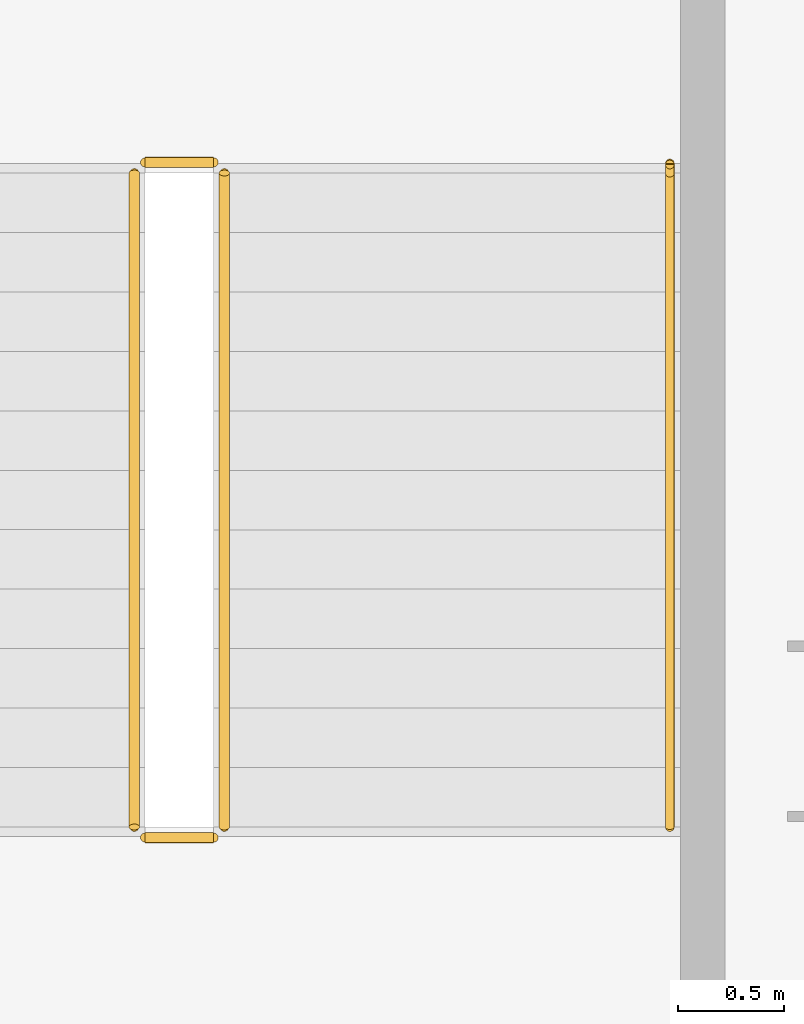
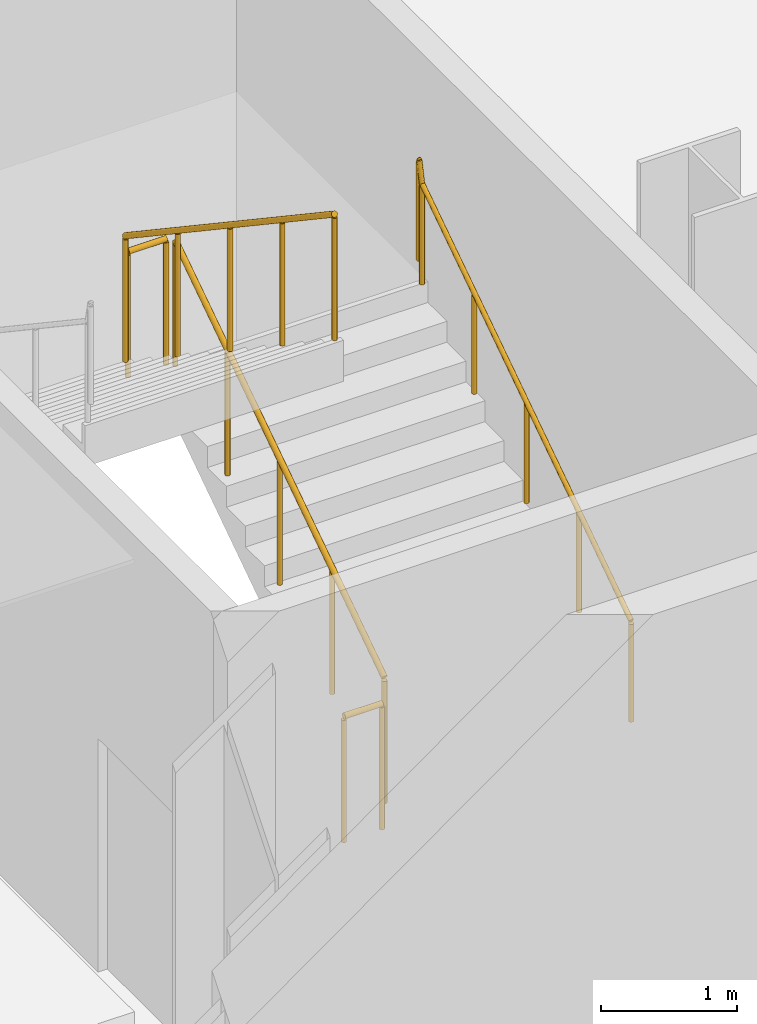
# One storey, part 15 of 15: 5 railings.
"""IFC4 building model written with IfcOpenShell, lengths in metres."""

import ifcopenshell
import ifcopenshell.guid

model = None  # the IFC model being written
_history = None  # IfcOwnerHistory: only IFC2X3 demands one
_inside = {}  # id of a spatial element -> (the spatial element, [elements in it])
_under = {}  # id of a project, library or spatial element -> (it, [spatial elements below it])
_declared = {}  # id of a project -> (the project, [libraries it declares])
_typed = {}  # id of a type object -> (the type object, [elements of that type])
_made_of = {}  # id of a material, layer set ... -> (it, [elements and type objects made of it])


def new_model(schema):
    """Start an empty IFC model of exactly this schema.

    Asked for "IFC4X3", IfcOpenShell would pick the latest addendum, in which some entities
    have other attributes; the version numbers below select the first issue.
    IFC2X3 requires an IfcOwnerHistory on every rooted entity: one is made here for all.
    """
    global model, _history
    if schema == "IFC4X3":
        model = ifcopenshell.file(schema_version=(4, 3, 0, 0))
    else:
        model = ifcopenshell.file(schema=schema)
    _inside.clear()
    _under.clear()
    _declared.clear()
    _typed.clear()
    _made_of.clear()
    _history = None
    if model.schema == "IFC2X3":
        org = make("IfcOrganization", Name="unknown")
        user = make(
            "IfcPersonAndOrganization",
            ThePerson=make("IfcPerson", FamilyName="unknown"),
            TheOrganization=org,
        )
        app = make(
            "IfcApplication",
            ApplicationDeveloper=org,
            Version="unknown",
            ApplicationFullName="unknown",
            ApplicationIdentifier="unknown",
        )
        _history = make(
            "IfcOwnerHistory",
            OwningUser=user,
            OwningApplication=app,
            ChangeAction="ADDED",
            CreationDate=0,
        )
    return model


def make(cls, **values):
    """One entity of the class cls with the attributes given. An attribute that is None is left unset."""
    return model.create_entity(
        cls, **{name: value for name, value in values.items() if value is not None}
    )


def rooted(cls, **values):
    """An entity with a GlobalId (a new one), such as an element, a storey or a relation."""
    return make(cls, GlobalId=ifcopenshell.guid.new(), OwnerHistory=_history, **values)


def si_unit(unit_type, name, prefix=None):
    """IfcSIUnit, for example si_unit("LENGTHUNIT", "METRE", prefix="MILLI")."""
    return make("IfcSIUnit", UnitType=unit_type, Prefix=prefix, Name=name)


def assignment(units):
    """IfcUnitAssignment: the units of a project."""
    return None if units is None else make("IfcUnitAssignment", Units=units)


def point(xyz):
    """IfcCartesianPoint."""
    return None if xyz is None else make("IfcCartesianPoint", Coordinates=xyz)


def direction(xyz):
    """IfcDirection."""
    return None if xyz is None else make("IfcDirection", DirectionRatios=xyz)


def frame(location, z_axis=None, x_axis=None):
    """IfcAxis2Placement3D, a coordinate frame: its origin and axes. An axis left out is left unset."""
    return make(
        "IfcAxis2Placement3D",
        Location=point(location),
        Axis=direction(z_axis),
        RefDirection=direction(x_axis),
    )


def frame_2d(location, x_axis=None):
    """IfcAxis2Placement2D, a coordinate frame in the plane: its origin and x axis."""
    return make(
        "IfcAxis2Placement2D", Location=point(location), RefDirection=direction(x_axis)
    )


def origin():
    """The frame at (0, 0, 0) with its axes left unset."""
    return frame((0.0, 0.0, 0.0))


def origin_2d():
    """The frame at (0, 0) in the plane with its x axis left unset."""
    return frame_2d((0.0, 0.0))


def place(relative_to, where):
    """IfcLocalPlacement: puts the frame where relative to a parent placement (None: the world)."""
    return make(
        "IfcLocalPlacement", PlacementRelTo=relative_to, RelativePlacement=where
    )


def context(
    kind, dimensions, precision=None, world=None, true_north=None, identifier=None
):
    """IfcGeometricRepresentationContext, for example the 3D "Model" context."""
    return make(
        "IfcGeometricRepresentationContext",
        ContextIdentifier=identifier,
        ContextType=kind,
        CoordinateSpaceDimension=dimensions,
        Precision=precision,
        WorldCoordinateSystem=world,
        TrueNorth=true_north,
    )


def subcontext(parent, identifier, kind, view, scale=None):
    """IfcGeometricRepresentationSubContext, for example "Body" below "Model"."""
    return make(
        "IfcGeometricRepresentationSubContext",
        ContextIdentifier=identifier,
        ContextType=kind,
        ParentContext=parent,
        TargetScale=scale,
        TargetView=view,
    )


def project(units=None, contexts=None):
    """IfcProject with its units and contexts."""
    return rooted(
        "IfcProject",
        Name="project",
        RepresentationContexts=contexts,
        UnitsInContext=assignment(units),
    )


def spatial(cls, under=None, at=None, **own):
    """A site, building, storey or space (cls), placed at a placement, below another one or the project."""
    s = rooted(cls, ObjectPlacement=at, **own)
    if under is not None:
        _under.setdefault(under.id(), (under, []))[1].append(s)
    return s


def profile(cls, at=None, kind="AREA", **sizes):
    """A parametric profile (cls). Its sizes go by their IFC names, for example OverallWidth=200.0."""
    return make(cls, ProfileType=kind, Position=at, **sizes)


def circle(**sizes):
    """IfcCircleProfileDef."""
    return profile("IfcCircleProfileDef", **sizes)


def extrude(swept, where, along, depth):
    """IfcExtrudedAreaSolid: the profile swept, set in the frame where, extruded along a direction by depth."""
    return make(
        "IfcExtrudedAreaSolid",
        SweptArea=swept,
        Position=where,
        ExtrudedDirection=direction(along),
        Depth=depth,
    )


def shape(context_of_items, identifier, shape_type, items):
    """IfcShapeRepresentation: the items that make up one representation, for example the "Body"."""
    return make(
        "IfcShapeRepresentation",
        ContextOfItems=context_of_items,
        RepresentationIdentifier=identifier,
        RepresentationType=shape_type,
        Items=items,
    )


def material(Name=None, Category=None):
    """IfcMaterial."""
    return make("IfcMaterial", Name=Name, Category=Category)


def made_of(thing, what):
    """Note that an element or type object is made of a material, layer set ...; save() writes the relation."""
    if what is not None:
        _made_of.setdefault(what.id(), (what, []))[1].append(thing)
    return thing


def type_object(cls, material=None, **own):
    """A type object (cls), such as IfcWallType, which elements share."""
    return made_of(rooted(cls, **own), material)


def element(
    cls,
    number,
    at=None,
    inside=None,
    cuts=None,
    type_object=None,
    material=None,
    context=None,
    identifier="Body",
    shape_type=None,
    held_by="IfcProductDefinitionShape",
    body=None,
    shapes=None,
    **own,
):
    """One element of the class cls, such as IfcWall. Its Tag is "e" and its number.

    at: its placement. inside: the storey or other place that contains it. cuts: it is an
    opening in that element (IfcRelVoidsElement). A single representation is given by context,
    identifier, shape_type and body (its items); several are given by shapes. held_by: the class
    of the entity that holds the representations. save() writes the other relations.
    """
    e = rooted(cls, Tag="e%d" % number, ObjectPlacement=at, **own)
    if body is not None:
        shapes = [shape(context, identifier, shape_type, body)]
    if shapes is not None:
        e.Representation = make(held_by, Representations=shapes)
    if inside is not None:
        _inside.setdefault(inside.id(), (inside, []))[1].append(e)
    if cuts is not None:
        rooted(
            "IfcRelVoidsElement", RelatingBuildingElement=cuts, RelatedOpeningElement=e
        )
    if type_object is not None:
        _typed.setdefault(type_object.id(), (type_object, []))[1].append(e)
    return made_of(e, material)


def aggregate(whole, parts):
    """IfcRelAggregates: a whole, such as a stair, and the parts it consists of."""
    return rooted("IfcRelAggregates", RelatingObject=whole, RelatedObjects=parts)


def save(model, path):
    """Write the relations noted so far, then the file.

    IfcRelAggregates (storeys below a building ...), IfcRelContainedInSpatialStructure (elements
    in a storey), IfcRelDefinesByType, IfcRelAssociatesMaterial and IfcRelDeclares: one each for
    every whole, place, type object, material and project.
    """
    for whole, parts in _under.values():
        aggregate(whole, parts)
    for where, things in _inside.values():
        rooted(
            "IfcRelContainedInSpatialStructure",
            RelatedElements=things,
            RelatingStructure=where,
        )
    for kind, things in _typed.values():
        rooted("IfcRelDefinesByType", RelatedObjects=things, RelatingType=kind)
    for what, things in _made_of.values():
        rooted("IfcRelAssociatesMaterial", RelatedObjects=things, RelatingMaterial=what)
    for by, libraries in _declared.values():
        rooted("IfcRelDeclares", RelatingContext=by, RelatedDefinitions=libraries)
    model.write(path)


model = new_model("IFC4")

# Units and contexts
model_context = context("Model", 3, precision=1e-05, world=origin(), true_north=direction((0.0, 1.0)))
body_context = subcontext(model_context, "Body", "Model", "MODEL_VIEW")
ifc_project = project(units=[si_unit("LENGTHUNIT", "METRE"), si_unit("AREAUNIT", "SQUARE_METRE"), si_unit("VOLUMEUNIT", "CUBIC_METRE"), si_unit("PLANEANGLEUNIT", "RADIAN"), si_unit("MASSUNIT", "GRAM", prefix="KILO")], contexts=[model_context])

# Site, building, storey
site_placement = place(None, origin())
site = spatial("IfcSite", under=ifc_project, at=site_placement, CompositionType="ELEMENT")
building_placement = place(site_placement, origin())
building = spatial("IfcBuilding", under=site, at=building_placement, Name="Velakula Bourse", CompositionType="ELEMENT")
storey_placement = place(building_placement, frame((0.0, 0.0, 14.10009765625)))
storey = spatial("IfcBuildingStorey", under=building, at=storey_placement, Name="L03", CompositionType="ELEMENT", Elevation=14.10009765625)

# Railings
ifc_material = material(Name="Brushed grade 316 stainless steel", Category="steel")
railing_type_1 = type_object("IfcRailingType", Name="RLG-STAIR-GUARD-1150", PredefinedType="BALUSTRADE", material=ifc_material)
railing_1_placement = place(storey_placement, frame((25.77197265625, -22.10009765625, 0.1875)))
element("IfcRailing", 1, at=railing_1_placement, inside=storey, type_object=railing_type_1, Name="L03 ST-P2 stair guard 1", PredefinedType="BALUSTRADE", context=body_context, shape_type="SweptSolid", body=[
    extrude(circle(Radius=0.02490234375, at=origin_2d()), frame((0.0, 0.0, 1.125), z_axis=(0.0, 0.830913701846, 0.55640131208), x_axis=(-1.0, 0.0, 0.0)), (0.0, 0.0, 1.0), 3.706787109375),
    extrude(circle(Radius=0.02099609375, at=origin_2d()), origin(), (0.0, 0.0, 1.0), 1.099853515625),
    extrude(circle(Radius=0.02099609375, at=origin_2d()), frame((0.0, 0.77001953125, 0.515625)), (0.0, 0.0, 1.0), 1.099853515625),
    extrude(circle(Radius=0.02099609375, at=origin_2d()), frame((0.0, 1.5400390625, 1.03125)), (0.0, 0.0, 1.0), 1.099853515625),
    extrude(circle(Radius=0.02099609375, at=origin_2d()), frame((0.0, 2.31005859375, 1.546875)), (0.0, 0.0, 1.0), 1.099853515625),
    extrude(circle(Radius=0.02099609375, at=origin_2d()), frame((0.0, 3.080078125, 2.0625)), (0.0, 0.0, 1.0), 1.099853515625),
])
railing_2_placement = place(storey_placement, frame((25.721923828125, -18.969970703125, 2.25)))
element("IfcRailing", 2, at=railing_2_placement, inside=storey, type_object=railing_type_1, Name="L03 ST-P2 stair guard 2", PredefinedType="BALUSTRADE", context=body_context, shape_type="SweptSolid", body=[
    extrude(circle(Radius=0.02490234375, at=origin_2d()), frame((0.0, 0.0, 1.125), z_axis=(-1.0, 0.0, 0.0), x_axis=(0.0, -1.0, 0.0)), (0.0, 0.0, 1.0), 0.323974609375),
    extrude(circle(Radius=0.02099609375, at=origin_2d()), origin(), (0.0, 0.0, 1.0), 1.099853515625),
    extrude(circle(Radius=0.02099609375, at=origin_2d()), frame((-0.323974609375, 0.0, 0.0)), (0.0, 0.0, 1.0), 1.099853515625),
])
railing_3_placement = place(storey_placement, frame((25.347900390625, -19.02001953125, 2.4375)))
element("IfcRailing", 3, at=railing_3_placement, inside=storey, type_object=railing_type_1, Name="L03 ST-P2 stair guard 3", PredefinedType="BALUSTRADE", context=body_context, shape_type="SweptSolid", body=[
    extrude(circle(Radius=0.02490234375, at=origin_2d()), frame((0.0, 0.0, 1.125), z_axis=(0.0, -0.830913701846, 0.55640131208), x_axis=(1.0, 0.0, 0.0)), (0.0, 0.0, 1.0), 3.706787109375),
    extrude(circle(Radius=0.02099609375, at=origin_2d()), origin(), (0.0, 0.0, 1.0), 1.099853515625),
    extrude(circle(Radius=0.02099609375, at=origin_2d()), frame((0.0, -0.77001953125, 0.515625)), (0.0, 0.0, 1.0), 1.099853515625),
    extrude(circle(Radius=0.02099609375, at=origin_2d()), frame((0.0, -1.5400390625, 1.03125)), (0.0, 0.0, 1.0), 1.099853515625),
    extrude(circle(Radius=0.02099609375, at=origin_2d()), frame((0.0, -2.31005859375, 1.546875)), (0.0, 0.0, 1.0), 1.099853515625),
    extrude(circle(Radius=0.02099609375, at=origin_2d()), frame((0.0, -3.080078125, 2.0625)), (0.0, 0.0, 1.0), 1.099853515625),
])
railing_4_placement = place(storey_placement, frame((25.721923828125, -22.14990234375, 0.0)))
element("IfcRailing", 4, at=railing_4_placement, inside=storey, type_object=railing_type_1, Name="L03 ST-P2 stair guard 4", PredefinedType="BALUSTRADE", context=body_context, shape_type="SweptSolid", body=[
    extrude(circle(Radius=0.02490234375, at=origin_2d()), frame((0.0, 0.0, 1.125), z_axis=(-1.0, 0.0, 0.0), x_axis=(0.0, -1.0, 0.0)), (0.0, 0.0, 1.0), 0.323974609375),
    extrude(circle(Radius=0.02099609375, at=origin_2d()), origin(), (0.0, 0.0, 1.0), 1.099853515625),
    extrude(circle(Radius=0.02099609375, at=origin_2d()), frame((-0.323974609375, 0.0, 0.0)), (0.0, 0.0, 1.0), 1.099853515625),
])
railing_type_2 = type_object("IfcRailingType", Name="RLG-STAIR-HAND-920", PredefinedType="HANDRAIL", material=ifc_material)
railing_5_placement = place(storey_placement, frame((27.8701171875, -22.10009765625, 0.1875)))
element("IfcRailing", 5, at=railing_5_placement, inside=storey, type_object=railing_type_2, Name="L03 ST-P2 stair handrail 1", PredefinedType="HANDRAIL", context=body_context, shape_type="SweptSolid", body=[
    extrude(circle(Radius=0.02099609375, at=origin_2d()), frame((0.0, 0.0, 0.89892578125), z_axis=(0.0, 0.830913701846, 0.55640131208), x_axis=(-1.0, 0.0, 0.0)), (0.0, 0.0, 1.0), 3.706787109375),
    extrude(circle(Radius=0.02099609375, at=origin_2d()), frame((0.0, 3.080078125, 2.96142578125), z_axis=(0.0, 0.208833338674, 0.97795124452), x_axis=(-1.0, 0.0, 0.0)), (0.0, 0.0, 1.0), 0.191650390625),
    extrude(circle(Radius=0.02099609375, at=origin_2d()), frame((0.0, 3.1201171875, 3.14892578125), z_axis=(0.0, 1.0, 0.0), x_axis=(-1.0, 0.0, 0.0)), (0.0, 0.0, 1.0), 0.0048828125),
    extrude(circle(Radius=0.02099609375, at=origin_2d()), origin(), (0.0, 0.0, 1.0), 0.8779296875),
    extrude(circle(Radius=0.02099609375, at=origin_2d()), frame((0.0, 0.77001953125, 0.515625)), (0.0, 0.0, 1.0), 0.8779296875),
    extrude(circle(Radius=0.02099609375, at=origin_2d()), frame((0.0, 1.5400390625, 1.03125)), (0.0, 0.0, 1.0), 0.8779296875),
    extrude(circle(Radius=0.02099609375, at=origin_2d()), frame((0.0, 2.31005859375, 1.546875)), (0.0, 0.0, 1.0), 0.8779296875),
    extrude(circle(Radius=0.02099609375, at=origin_2d()), frame((0.0, 3.080078125, 2.0625)), (0.0, 0.0, 1.0), 0.8779296875),
    extrude(circle(Radius=0.02099609375, at=origin_2d()), frame((0.0, 3.1201171875, 2.25)), (0.0, 0.0, 1.0), 0.8779296875),
    extrude(circle(Radius=0.02099609375, at=origin_2d()), frame((0.0, 3.125, 2.25)), (0.0, 0.0, 1.0), 0.8779296875),
])

save(model, "model.ifc")
